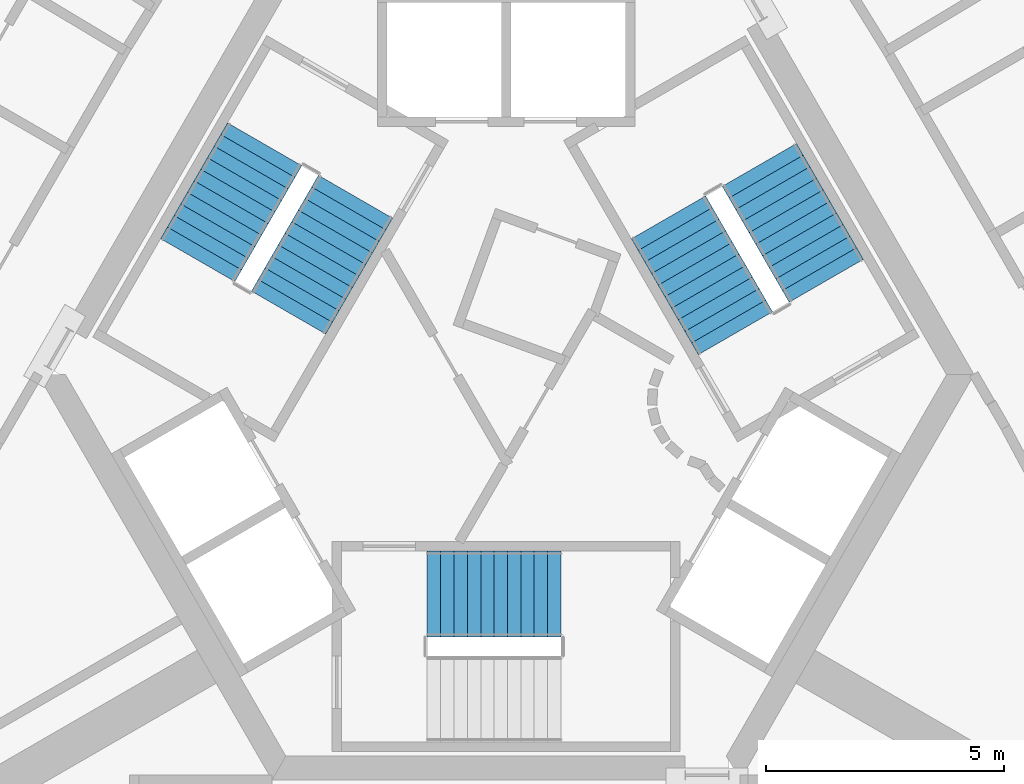
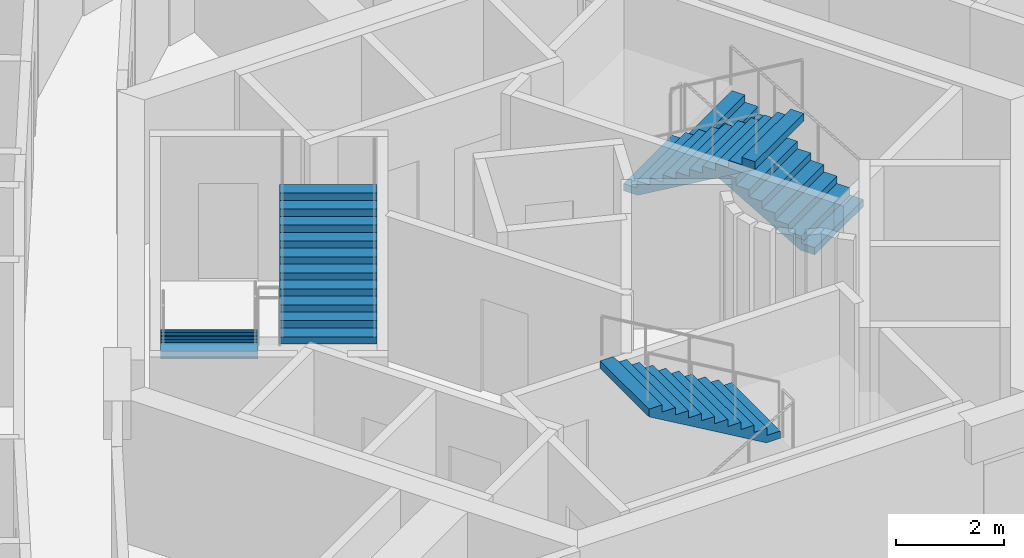
# One storey, part 9 of 12: 5 stair flights, 3 elements without a shape of their own.
"""IFC4 building model written with IfcOpenShell, lengths in metres."""

from ifc_helpers import new_model, si_unit, direction, frame, origin, place, context, subcontext, project, spatial, polyline, outline, extrude, material, type_object, element, aggregate, save


model = new_model("IFC4")

# Units and contexts
model_context = context("Model", 3, precision=1e-05, world=origin(), true_north=direction((0.0, 1.0)))
body_context = subcontext(model_context, "Body", "Model", "MODEL_VIEW")
ifc_project = project(units=[si_unit("LENGTHUNIT", "METRE"), si_unit("AREAUNIT", "SQUARE_METRE"), si_unit("VOLUMEUNIT", "CUBIC_METRE"), si_unit("PLANEANGLEUNIT", "RADIAN"), si_unit("MASSUNIT", "GRAM", prefix="KILO")], contexts=[model_context])

# Site, building, storey
site_placement = place(None, origin())
site = spatial("IfcSite", under=ifc_project, at=site_placement, CompositionType="ELEMENT")
building_placement = place(site_placement, origin())
building = spatial("IfcBuilding", under=site, at=building_placement, Name="Entoto Arch Interchange Tower", CompositionType="ELEMENT")
storey_placement = place(building_placement, frame((0.0, 0.0, 286.39990234375)))
storey = spatial("IfcBuildingStorey", under=building, at=storey_placement, Name="L66", CompositionType="ELEMENT", Elevation=286.39990234375)

# Stair, stair flight
ifc_material = material(Name="Concrete C40/50", Category="concrete")
stair_type = type_object("IfcStairType", Name="EXIT STAIR RC 1800", PredefinedType="HALF_TURN_STAIR", material=ifc_material)
stair_1_placement = place(storey_placement, origin())
stair_1 = element("IfcStair", 1, at=stair_1_placement, inside=storey, type_object=stair_type, Name="L66 Exit stair S", PredefinedType="HALF_TURN_STAIR")
stair_flight_type = type_object("IfcStairFlightType", Name="EXIT STAIR FLIGHT RC 1800", PredefinedType="STRAIGHT", material=ifc_material)
stair_flight_1_placement = place(storey_placement, frame((1.14990234375, -2.10009765625, 1.800048828125), z_axis=(0.0, 0.0, 1.0), x_axis=(-1.0, 0.0, 0.0)))
stair_flight_1 = element("IfcStairFlight", 2, at=stair_flight_1_placement, type_object=stair_flight_type, Name="ST-S flight 2", NumberOfRisers=11, NumberOfTreads=10, PredefinedType="STRAIGHT", RiserHeight=0.163636364, TreadLength=0.28, context=body_context, shape_type="SweptSolid", body=[
    extrude(outline(polyline([(-0.0029296875, 0.0), (-0.0029296875, 0.16357421875), (0.280029296875, 0.16357421875), (0.280029296875, 0.327392578125), (0.56005859375, 0.327392578125), (0.56005859375, 0.490966796875), (0.840087890625, 0.490966796875), (0.840087890625, 0.654541015625), (1.1201171875, 0.654541015625), (1.1201171875, 0.818115234375), (1.39990234375, 0.818115234375), (1.39990234375, 0.98193359375), (1.679931640625, 0.98193359375), (1.679931640625, 1.1455078125), (1.9599609375, 1.1455078125), (1.9599609375, 1.30908203125), (2.239990234375, 1.30908203125), (2.239990234375, 1.47265625), (2.52001953125, 1.47265625), (2.52001953125, 1.636474609375), (2.800048828125, 1.636474609375), (2.802978515625, 1.636474609375), (2.802978515625, 1.464599609375), (0.297119140625, 0.0), (-0.0029296875, 0.0)])), frame((0.0, 0.89990234375, 0.0), z_axis=(0.0, -1.0, 0.0), x_axis=(1.0, 0.0, 0.0)), (0.0, 0.0, 1.0), 1.800048828125),
])
aggregate(stair_1, [stair_flight_1])

# Stair, stair flights
stair_2_placement = place(storey_placement, origin())
stair_2 = element("IfcStair", 3, at=stair_2_placement, inside=storey, type_object=stair_type, Name="L66 Exit stair NE", PredefinedType="HALF_TURN_STAIR")
stair_flight_2_placement = place(storey_placement, frame((6.7138671875, 4.470947265625, 0.0), z_axis=(0.0, 0.0, 1.0), x_axis=(-0.5, 0.866025403784, 0.0)))
stair_flight_2 = element("IfcStairFlight", 4, at=stair_flight_2_placement, type_object=stair_flight_type, Name="ST-NE flight 1", NumberOfRisers=11, NumberOfTreads=10, PredefinedType="STRAIGHT", RiserHeight=0.163636364, TreadLength=0.28, context=body_context, shape_type="SweptSolid", body=[
    extrude(outline(polyline([(-0.0029296875, 0.0), (-0.0029296875, 0.16357421875), (0.280029296875, 0.16357421875), (0.280029296875, 0.327392578125), (0.56005859375, 0.327392578125), (0.56005859375, 0.490966796875), (0.840087890625, 0.490966796875), (0.840087890625, 0.654541015625), (1.1201171875, 0.654541015625), (1.1201171875, 0.818115234375), (1.39990234375, 0.818115234375), (1.39990234375, 0.98193359375), (1.679931640625, 0.98193359375), (1.679931640625, 1.1455078125), (1.9599609375, 1.1455078125), (1.9599609375, 1.30908203125), (2.239990234375, 1.30908203125), (2.239990234375, 1.47265625), (2.52001953125, 1.47265625), (2.52001953125, 1.636474609375), (2.800048828125, 1.636474609375), (2.802978515625, 1.636474609375), (2.802978515625, 1.464599609375), (0.297119140625, 0.0), (-0.0029296875, 0.0)])), frame((0.0, 0.89990234375, 0.0), z_axis=(0.0, -1.0, 0.0), x_axis=(1.0, 0.0, 0.0)), (0.0, 0.0, 1.0), 1.800048828125),
])
stair_flight_3_placement = place(storey_placement, frame((3.40869140625, 5.7958984375, 1.800048828125), z_axis=(0.0, 0.0, 1.0), x_axis=(0.5, -0.866025403784, 0.0)))
stair_flight_3 = element("IfcStairFlight", 5, at=stair_flight_3_placement, type_object=stair_flight_type, Name="ST-NE flight 2", NumberOfRisers=11, NumberOfTreads=10, PredefinedType="STRAIGHT", RiserHeight=0.163636364, TreadLength=0.28, context=body_context, shape_type="SweptSolid", body=[
    extrude(outline(polyline([(-0.0029296875, 0.0), (-0.0029296875, 0.16357421875), (0.280029296875, 0.16357421875), (0.280029296875, 0.327392578125), (0.56005859375, 0.327392578125), (0.56005859375, 0.490966796875), (0.840087890625, 0.490966796875), (0.840087890625, 0.654541015625), (1.1201171875, 0.654541015625), (1.1201171875, 0.818115234375), (1.39990234375, 0.818115234375), (1.39990234375, 0.98193359375), (1.679931640625, 0.98193359375), (1.679931640625, 1.1455078125), (1.9599609375, 1.1455078125), (1.9599609375, 1.30908203125), (2.239990234375, 1.30908203125), (2.239990234375, 1.47265625), (2.52001953125, 1.47265625), (2.52001953125, 1.636474609375), (2.800048828125, 1.636474609375), (2.802978515625, 1.636474609375), (2.802978515625, 1.464599609375), (0.297119140625, 0.0), (-0.0029296875, 0.0)])), frame((0.0, 0.89990234375, 0.0), z_axis=(0.0, -1.0, 0.0), x_axis=(1.0, 0.0, 0.0)), (0.0, 0.0, 1.0), 1.800048828125),
])
aggregate(stair_2, [stair_flight_2, stair_flight_3])

stair_3_placement = place(storey_placement, origin())
stair_3 = element("IfcStair", 6, at=stair_3_placement, inside=storey, type_object=stair_type, Name="L66 Exit stair NW", PredefinedType="HALF_TURN_STAIR")
stair_flight_4_placement = place(storey_placement, frame((-5.06396484375, 7.328857421875, 0.0), z_axis=(0.0, 0.0, 1.0), x_axis=(-0.5, -0.866025403784, 0.0)))
stair_flight_4 = element("IfcStairFlight", 7, at=stair_flight_4_placement, type_object=stair_flight_type, Name="ST-NW flight 1", NumberOfRisers=11, NumberOfTreads=10, PredefinedType="STRAIGHT", RiserHeight=0.163636364, TreadLength=0.28, context=body_context, shape_type="SweptSolid", body=[
    extrude(outline(polyline([(-0.0029296875, 0.0), (-0.0029296875, 0.16357421875), (0.280029296875, 0.16357421875), (0.280029296875, 0.327392578125), (0.56005859375, 0.327392578125), (0.56005859375, 0.490966796875), (0.840087890625, 0.490966796875), (0.840087890625, 0.654541015625), (1.1201171875, 0.654541015625), (1.1201171875, 0.818115234375), (1.39990234375, 0.818115234375), (1.39990234375, 0.98193359375), (1.679931640625, 0.98193359375), (1.679931640625, 1.1455078125), (1.9599609375, 1.1455078125), (1.9599609375, 1.30908203125), (2.239990234375, 1.30908203125), (2.239990234375, 1.47265625), (2.52001953125, 1.47265625), (2.52001953125, 1.636474609375), (2.800048828125, 1.636474609375), (2.802978515625, 1.636474609375), (2.802978515625, 1.464599609375), (0.297119140625, 0.0), (-0.0029296875, 0.0)])), frame((0.0, 0.89990234375, 0.0), z_axis=(0.0, -1.0, 0.0), x_axis=(1.0, 0.0, 0.0)), (0.0, 0.0, 1.0), 1.800048828125),
])
stair_flight_5_placement = place(storey_placement, frame((-4.558837890625, 3.803955078125, 1.800048828125), z_axis=(0.0, 0.0, 1.0), x_axis=(0.5, 0.866025403784, 0.0)))
stair_flight_5 = element("IfcStairFlight", 8, at=stair_flight_5_placement, type_object=stair_flight_type, Name="ST-NW flight 2", NumberOfRisers=11, NumberOfTreads=10, PredefinedType="STRAIGHT", RiserHeight=0.163636364, TreadLength=0.28, context=body_context, shape_type="SweptSolid", body=[
    extrude(outline(polyline([(-0.0029296875, 0.0), (-0.0029296875, 0.16357421875), (0.280029296875, 0.16357421875), (0.280029296875, 0.327392578125), (0.56005859375, 0.327392578125), (0.56005859375, 0.490966796875), (0.840087890625, 0.490966796875), (0.840087890625, 0.654541015625), (1.1201171875, 0.654541015625), (1.1201171875, 0.818115234375), (1.39990234375, 0.818115234375), (1.39990234375, 0.98193359375), (1.679931640625, 0.98193359375), (1.679931640625, 1.1455078125), (1.9599609375, 1.1455078125), (1.9599609375, 1.30908203125), (2.239990234375, 1.30908203125), (2.239990234375, 1.47265625), (2.52001953125, 1.47265625), (2.52001953125, 1.636474609375), (2.800048828125, 1.636474609375), (2.802978515625, 1.636474609375), (2.802978515625, 1.464599609375), (0.297119140625, 0.0), (-0.0029296875, 0.0)])), frame((0.0, 0.89990234375, 0.0), z_axis=(0.0, -1.0, 0.0), x_axis=(1.0, 0.0, 0.0)), (0.0, 0.0, 1.0), 1.800048828125),
])
aggregate(stair_3, [stair_flight_4, stair_flight_5])

save(model, "model.ifc")
